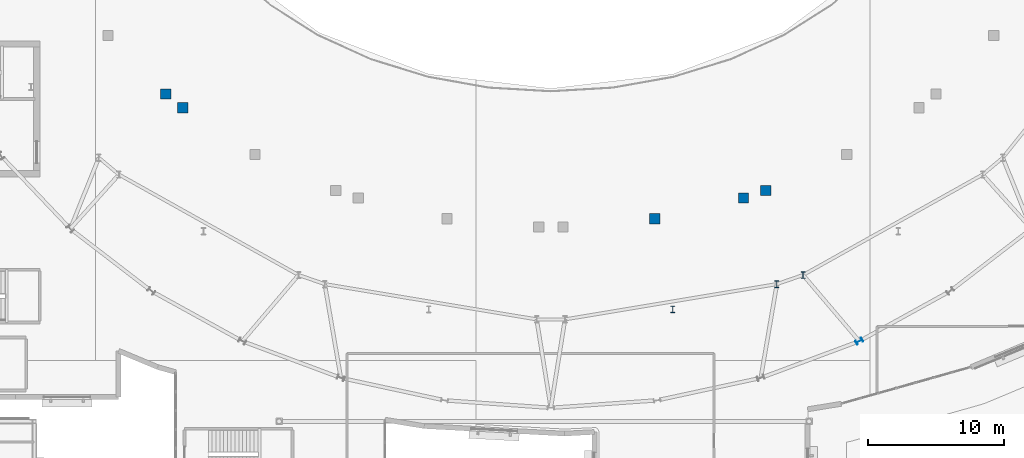
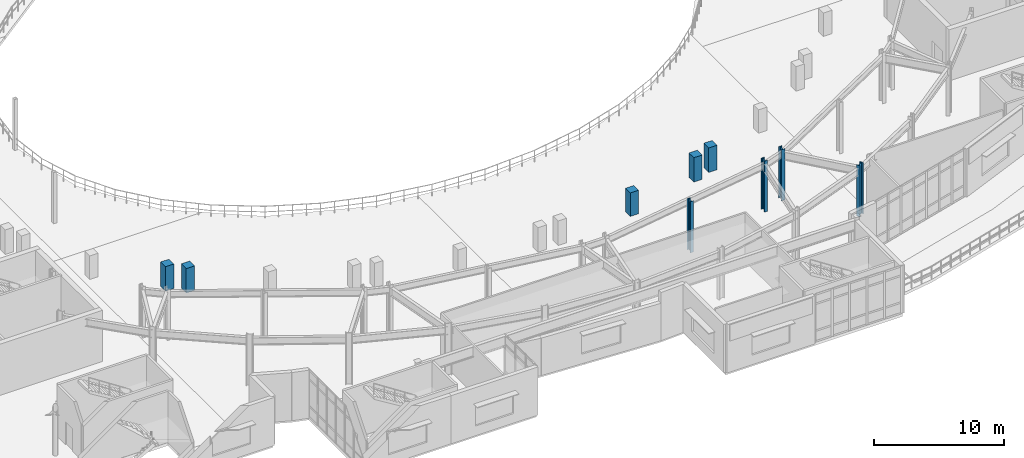
# One storey, part 6 of 84: 9 columns.
"""IFC4 building model written with IfcOpenShell, lengths in metres."""

from ifc_helpers import new_model, si_unit, direction, frame, origin, origin_2d, place, context, subcontext, project, spatial, rectangle, i_section, extrude, material, material_profile, profile_set, type_object, element, save


model = new_model("IFC4")

# Units and contexts
model_context = context("Model", 3, precision=1e-05, world=origin(), true_north=direction((0.0, 1.0)))
body_context = subcontext(model_context, "Body", "Model", "MODEL_VIEW")
ifc_project = project(units=[si_unit("LENGTHUNIT", "METRE"), si_unit("AREAUNIT", "SQUARE_METRE"), si_unit("VOLUMEUNIT", "CUBIC_METRE"), si_unit("PLANEANGLEUNIT", "RADIAN"), si_unit("MASSUNIT", "GRAM", prefix="KILO")], contexts=[model_context])

# Site, building, storey
site_placement = place(None, origin())
site = spatial("IfcSite", under=ifc_project, at=site_placement, CompositionType="ELEMENT")
building_placement = place(site_placement, origin())
building = spatial("IfcBuilding", under=site, at=building_placement, Name="Glasvene Arena", CompositionType="ELEMENT")
storey_placement = place(building_placement, frame((0.0, 0.0, 10.199951171875)))
storey = spatial("IfcBuildingStorey", under=building, at=storey_placement, Name="L02", CompositionType="ELEMENT", Elevation=10.199951171875)

# Columns
ifc_material_1 = material(Name="Concrete C40/50", Category="concrete")
ifc_material_profile_1 = material_profile(ifc_material_1, rectangle(XDim=0.75, YDim=0.75, at=origin_2d()), Name="RC 750x750")
ifc_profile_set_1 = profile_set([ifc_material_profile_1], Name="Concrete C40/50")
column_type_1 = type_object("IfcColumnType", Name="COL-MID-RC750", PredefinedType="COLUMN", material=ifc_profile_set_1)
for number, where, z_axis, x_axis, name in (
    (1, (63.65966796875, 51.09912109375, 0.0), (0.0, 0.0, 1.0), (1.0, 0.0, 0.0), "Mid-bowl fulcrum column L02 10-2"),
    (2, (64.91748046875, 50.081787109375, 0.0), (0.0, 0.0, 1.0), (1.0, 0.0, 0.0), "Mid-bowl fulcrum column L02 11-1"),
    (3, (106.17578125, 43.4453125, 0.0), (0.0, 0.0, 1.0), (1.0, 0.0, 0.0), "Mid-bowl fulcrum column L02 13-2"),
    (4, (107.819091796875, 43.995849609375, 0.0), (0.0, 0.0, 1.0), (1.0, 0.0, 0.0), "Mid-bowl fulcrum column L02 14-1"),
):
    element("IfcColumn", number, at=place(storey_placement, frame(where, z_axis=z_axis, x_axis=x_axis)), inside=storey, type_object=column_type_1, Name=name, PredefinedType="COLUMN", context=body_context, shape_type="SweptSolid", body=[
        extrude(rectangle(XDim=0.75, YDim=0.75, at=origin_2d()), origin(), (0.0, 0.0, 1.0), 2.300048828125),
    ])
column_1_placement = place(storey_placement, frame((99.6474609375, 41.9091796875, 0.0), z_axis=(0.0, 0.0, 1.0), x_axis=(1.0, 0.0, 0.0)))
element("IfcColumn", 5, at=column_1_placement, inside=storey, type_object=column_type_1, Name="Mid-sector fulcrum column L02 13", PredefinedType="COLUMN", context=body_context, shape_type="SweptSolid", body=[
    extrude(rectangle(XDim=0.75, YDim=0.75, at=origin_2d()), origin(), (0.0, 0.0, 1.0), 2.199951171875),
])
ifc_material_2 = material(Name="Steel S355J2", Category="steel")
ifc_material_profile_2 = material_profile(ifc_material_2, i_section(OverallWidth=0.305908203125, OverallDepth=0.52392578125, WebThickness=0.02099609375, FlangeThickness=0.0400390625, FilletRadius=0.027099609375, at=origin_2d()), Name="HEM 500")
ifc_profile_set_2 = profile_set([ifc_material_profile_2], Name="Steel S355J2")
column_type_2 = type_object("IfcColumnType", Name="COL-RING-HEM500", PredefinedType="COLUMN", material=ifc_profile_set_2)
column_2_placement = place(storey_placement, frame((114.699462890625, 32.90478515625, 0.0), z_axis=(0.0, 0.0, 1.0), x_axis=(0.492727341548, -0.87018375467, 0.0)))
element("IfcColumn", 6, at=column_2_placement, inside=storey, type_object=column_type_2, Name="Bowl ring column R34 L02", PredefinedType="COLUMN", context=body_context, shape_type="SweptSolid", body=[
    extrude(i_section(OverallWidth=0.305908203125, OverallDepth=0.52392578125, WebThickness=0.02099609375, FlangeThickness=0.0400390625, FilletRadius=0.027099609375, at=origin_2d()), origin(), (0.0, 0.0, 1.0), 4.800048828125),
])
ifc_material_profile_3 = material_profile(ifc_material_2, i_section(OverallWidth=0.300048828125, OverallDepth=0.5, WebThickness=0.014404296875, FlangeThickness=0.028076171875, FilletRadius=0.027099609375, at=origin_2d()), Name="HEB 500")
ifc_profile_set_3 = profile_set([ifc_material_profile_3], Name="Steel S355J2")
column_type_3 = type_object("IfcColumnType", Name="COL-W-HEB500", PredefinedType="COLUMN", material=ifc_profile_set_3)
for number, where, z_axis, x_axis, name in (
    (7, (108.634765625, 37.10546875, 0.0), (0.0, 0.0, 1.0), (1.0, 0.0, 0.0), "Upper raker rear column L02 13-2"),
    (8, (110.56298828125, 37.774169921875, 0.0), (0.0, 0.0, 1.0), (1.0, 0.0, 0.0), "Upper raker rear column L02 14-1"),
    (9, (100.97412109375, 35.23974609375, 0.0), (0.0, 0.0, 1.0), (1.0, 0.0, 0.0), "Mid-sector rear raker column L02 13"),
):
    element("IfcColumn", number, at=place(storey_placement, frame(where, z_axis=z_axis, x_axis=x_axis)), inside=storey, type_object=column_type_3, Name=name, PredefinedType="COLUMN", context=body_context, shape_type="SweptSolid", body=[
        extrude(i_section(OverallWidth=0.300048828125, OverallDepth=0.5, WebThickness=0.014404296875, FlangeThickness=0.028076171875, FilletRadius=0.027099609375, at=origin_2d()), origin(), (0.0, 0.0, 1.0), 4.800048828125),
    ])

save(model, "model.ifc")
